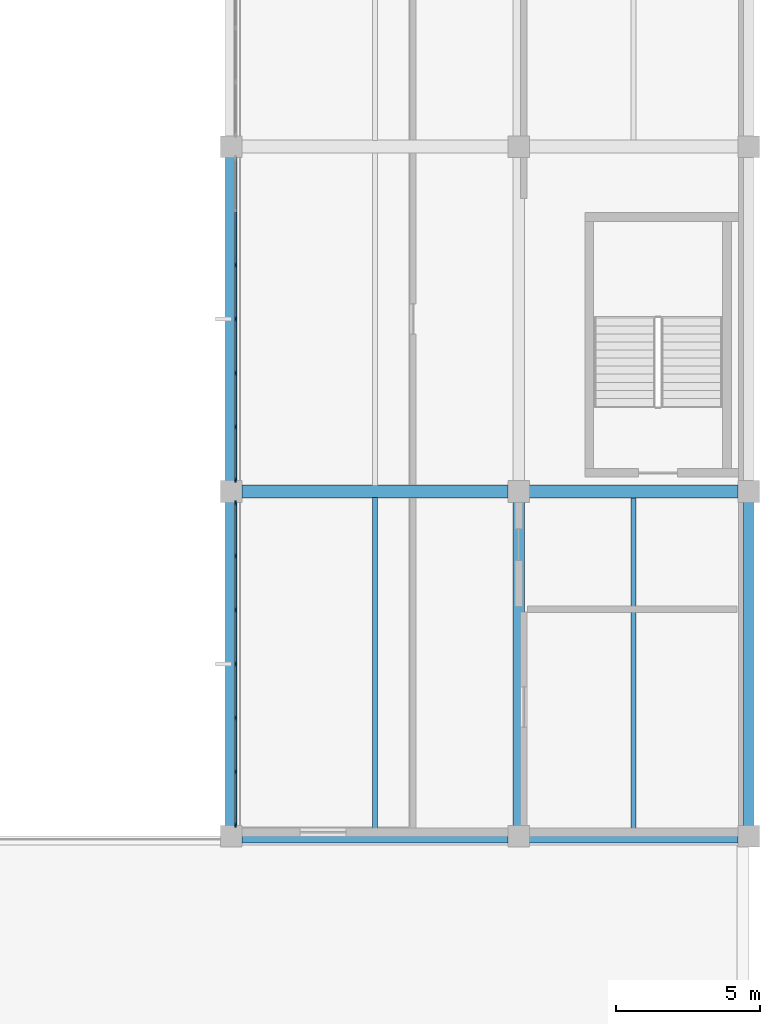
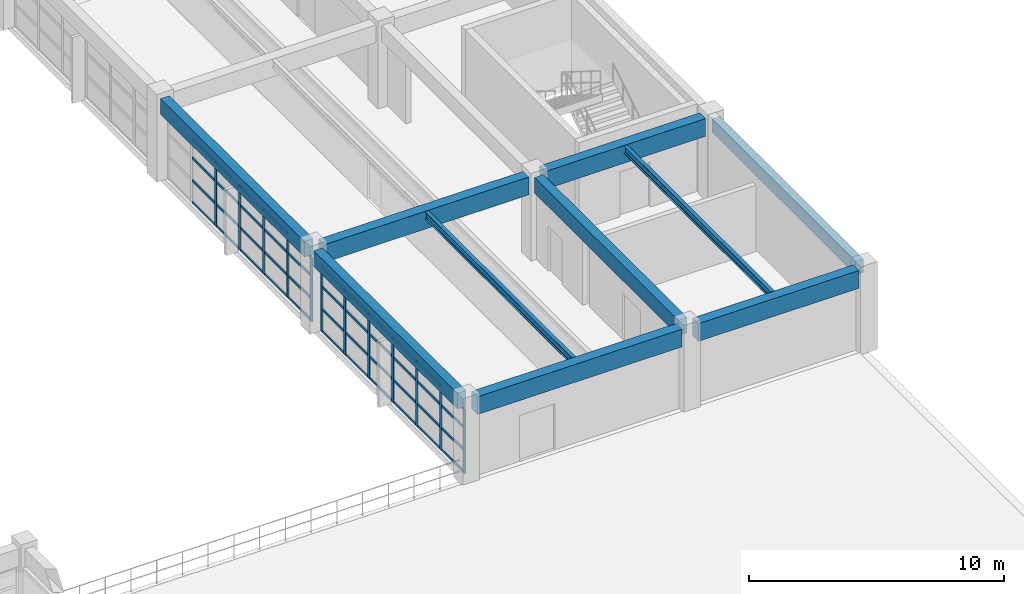
# One storey, part 36 of 83: 56 members, 10 beams, 2 elements without a shape of their own.
"""IFC4 building model written with IfcOpenShell, lengths in metres."""

from ifc_helpers import new_model, si_unit, direction, frame, origin, origin_2d, place, context, subcontext, project, spatial, rectangle, i_section, extrude, material, layer, layer_set, material_profile, profile_set, type_object, element, aggregate, save


model = new_model("IFC4")

# Units and contexts
model_context = context("Model", 3, precision=1e-05, world=origin(), true_north=direction((0.0, 1.0)))
body_context = subcontext(model_context, "Body", "Model", "MODEL_VIEW")
ifc_project = project(units=[si_unit("LENGTHUNIT", "METRE"), si_unit("AREAUNIT", "SQUARE_METRE"), si_unit("VOLUMEUNIT", "CUBIC_METRE"), si_unit("PLANEANGLEUNIT", "RADIAN"), si_unit("MASSUNIT", "GRAM", prefix="KILO")], contexts=[model_context])

# Site, building, storey
site_placement = place(None, origin())
site = spatial("IfcSite", under=ifc_project, at=site_placement, CompositionType="ELEMENT")
building_placement = place(site_placement, origin())
building = spatial("IfcBuilding", under=site, at=building_placement, Name="Kivolera Central Railway Station", CompositionType="ELEMENT")
storey_placement = place(building_placement, frame((0.0, 0.0, 14.39990234375)))
storey = spatial("IfcBuildingStorey", under=building, at=storey_placement, Name="L03", CompositionType="ELEMENT", Elevation=14.39990234375)

# Beams
ifc_material_1 = material(Name="Steel S355", Category="steel")
ifc_material_profile_1 = material_profile(ifc_material_1, i_section(OverallWidth=0.169921875, OverallDepth=0.360107421875, WebThickness=0.008056640625, FlangeThickness=0.0126953125, FilletRadius=0.01806640625, at=origin_2d()), Name="IPE 360")
ifc_profile_set_1 = profile_set([ifc_material_profile_1], Name="Steel S355")
beam_type_1 = type_object("IfcBeamType", Name="BM-JST-IPE360", PredefinedType="JOIST", material=ifc_profile_set_1)
for number, where, z_axis, x_axis, name in (
    (1, (183.0, 78.217041015625, 3.748046875), (0.0, 1.0, 0.0), (-1.0, 0.0, 0.0), "L03 Floor Joist 18-19/G-H"),
    (2, (192.0, 78.217041015625, 3.748046875), (0.0, 1.0, 0.0), (-1.0, 0.0, 0.0), "L03 Floor Joist 19-20/G-H"),
):
    element("IfcBeam", number, at=place(storey_placement, frame(where, z_axis=z_axis, x_axis=x_axis)), inside=storey, type_object=beam_type_1, Name=name, PredefinedType="JOIST", context=body_context, shape_type="SweptSolid", body=[
        extrude(i_section(OverallWidth=0.169921875, OverallDepth=0.360107421875, WebThickness=0.008056640625, FlangeThickness=0.0126953125, FilletRadius=0.01806640625, at=origin_2d()), origin(), (0.0, 0.0, 1.0), 11.56591796875),
    ])
ifc_material_2 = material(Name="Concrete C40/50", Category="concrete")
ifc_material_profile_2 = material_profile(ifc_material_2, rectangle(XDim=0.39990234375, YDim=0.75, at=origin_2d()), Name="RC 400x750")
ifc_profile_set_2 = profile_set([ifc_material_profile_2], Name="Concrete C40/50")
beam_type_2 = type_object("IfcBeamType", Name="BM-RC-400x750", PredefinedType="BEAM", material=ifc_profile_set_2)
for number, where, z_axis, x_axis, name in (
    (3, (178.0, 78.366943359375, 3.565185546875), (0.0, 1.0, 0.0), (-1.0, 0.0, 0.0), "L03 Wing Y-Beam 18:G-H"),
    (4, (178.0, 90.366943359375, 3.565185546875), (0.0, 1.0, 0.0), (-1.0, 0.0, 0.0), "L03 Wing Y-Beam 18:H-J"),
    (5, (188.0, 78.366943359375, 3.565185546875), (0.0, 1.0, 0.0), (-1.0, 0.0, 0.0), "L03 Wing Y-Beam 19:G-H"),
):
    element("IfcBeam", number, at=place(storey_placement, frame(where, z_axis=z_axis, x_axis=x_axis)), inside=storey, type_object=beam_type_2, Name=name, PredefinedType="BEAM", context=body_context, shape_type="SweptSolid", body=[
        extrude(rectangle(XDim=0.39990234375, YDim=0.75, at=origin_2d()), origin(), (0.0, 0.0, 1.0), 11.26611328125),
    ])
ifc_material_profile_3 = material_profile(ifc_material_2, rectangle(XDim=0.449951171875, YDim=0.85009765625, at=origin_2d()), Name="RC 450x850")
ifc_profile_set_3 = profile_set([ifc_material_profile_3], Name="Concrete C40/50")
beam_type_3 = type_object("IfcBeamType", Name="BM-RC-450x850", PredefinedType="BEAM", material=ifc_profile_set_3)
beam_1_placement = place(storey_placement, frame((178.366943359375, 78.0, 3.51513671875), z_axis=(1.0, 0.0, 0.0), x_axis=(0.0, 1.0, 0.0)))
element("IfcBeam", 6, at=beam_1_placement, inside=storey, type_object=beam_type_3, Name="L03 Wing X-Beam G:18-19", PredefinedType="BEAM", context=body_context, shape_type="SweptSolid", body=[
    extrude(rectangle(XDim=0.449951171875, YDim=0.85009765625, at=origin_2d()), origin(), (0.0, 0.0, 1.0), 9.26611328125),
])
beam_2_placement = place(storey_placement, frame((188.366943359375, 78.0, 3.51513671875), z_axis=(1.0, 0.0, 0.0), x_axis=(0.0, 1.0, 0.0)))
element("IfcBeam", 7, at=beam_2_placement, inside=storey, type_object=beam_type_3, Name="L03 Wing X-Beam G:19-20", PredefinedType="BEAM", context=body_context, shape_type="SweptSolid", body=[
    extrude(rectangle(XDim=0.449951171875, YDim=0.85009765625, at=origin_2d()), origin(), (0.0, 0.0, 1.0), 7.26611328125),
])
beam_3_placement = place(storey_placement, frame((178.366943359375, 90.0, 3.51513671875), z_axis=(1.0, 0.0, 0.0), x_axis=(0.0, 1.0, 0.0)))
element("IfcBeam", 8, at=beam_3_placement, inside=storey, type_object=beam_type_3, Name="L03 Wing X-Beam H:18-19", PredefinedType="BEAM", context=body_context, shape_type="SweptSolid", body=[
    extrude(rectangle(XDim=0.449951171875, YDim=0.85009765625, at=origin_2d()), origin(), (0.0, 0.0, 1.0), 9.26611328125),
])
beam_4_placement = place(storey_placement, frame((188.366943359375, 90.0, 3.51513671875), z_axis=(1.0, 0.0, 0.0), x_axis=(0.0, 1.0, 0.0)))
element("IfcBeam", 9, at=beam_4_placement, inside=storey, type_object=beam_type_3, Name="L03 Wing X-Beam H:19-20", PredefinedType="BEAM", context=body_context, shape_type="SweptSolid", body=[
    extrude(rectangle(XDim=0.449951171875, YDim=0.85009765625, at=origin_2d()), origin(), (0.0, 0.0, 1.0), 7.26611328125),
])
ifc_material_profile_4 = material_profile(ifc_material_2, rectangle(XDim=0.35009765625, YDim=0.64990234375, at=origin_2d()), Name="RC 350x650")
ifc_profile_set_4 = profile_set([ifc_material_profile_4], Name="Concrete C40/50")
beam_type_4 = type_object("IfcBeamType", Name="BM-SPN-RC650", PredefinedType="SPANDREL", material=ifc_profile_set_4)
beam_5_placement = place(storey_placement, frame((196.0, 78.366943359375, 3.614990234375), z_axis=(0.0, 1.0, 0.0), x_axis=(-1.0, 0.0, 0.0)))
element("IfcBeam", 10, at=beam_5_placement, inside=storey, type_object=beam_type_4, Name="L03 Wing Y-Beam 20:G-H", PredefinedType="SPANDREL", context=body_context, shape_type="SweptSolid", body=[
    extrude(rectangle(XDim=0.35009765625, YDim=0.64990234375, at=origin_2d()), origin(), (0.0, 0.0, 1.0), 11.26611328125),
])

# Curtain wall, members
ifc_material_3 = material(Name="Anodised aluminium", Category="aluminium")
ifc_layer = layer(ifc_material_3, 0.179931640625, Name="Anodised aluminium")
ifc_layer_set = layer_set([ifc_layer], Name="Anodised aluminium")
curtain_wall_type = type_object("IfcCurtainWallType", Name="CW-SYS-30", PredefinedType="NOTDEFINED", material=ifc_layer_set)
curtain_wall_1_placement = place(storey_placement, origin())
curtain_wall_1 = element("IfcCurtainWall", 11, at=curtain_wall_1_placement, inside=storey, type_object=curtain_wall_type, Name="L03 Curtain Wall CW-L03-CRTE-G", PredefinedType="NOTDEFINED")
ifc_material_profile_5 = material_profile(ifc_material_3, rectangle(XDim=0.06005859375, YDim=0.14990234375, at=origin_2d()), Name="ALU MULL 60x150")
ifc_profile_set_5 = profile_set([ifc_material_profile_5], Name="Anodised aluminium")
member_type_1 = type_object("IfcMemberType", Name="CWM-MUL-2", PredefinedType="MULLION", material=ifc_profile_set_5)
member_1_placement = place(storey_placement, frame((178.14501953125, 78.39990234375, -0.0048828125), z_axis=(0.0, 0.0, 1.0), x_axis=(-1.0, 0.0, 0.0)))
member_1 = element("IfcMember", 12, at=member_1_placement, type_object=member_type_1, Name="CW-30 mullion 1", PredefinedType="MULLION", context=body_context, shape_type="SweptSolid", body=[
    extrude(rectangle(XDim=0.06005859375, YDim=0.14990234375, at=origin_2d()), origin(), (0.0, 0.0, 1.0), 3.0830078125),
])
member_2_placement = place(storey_placement, frame((178.14501953125, 80.24658203125, -0.0048828125), z_axis=(0.0, 0.0, 1.0), x_axis=(-1.0, 0.0, 0.0)))
member_2 = element("IfcMember", 13, at=member_2_placement, type_object=member_type_1, Name="CW-30 mullion 2", PredefinedType="MULLION", context=body_context, shape_type="SweptSolid", body=[
    extrude(rectangle(XDim=0.06005859375, YDim=0.14990234375, at=origin_2d()), origin(), (0.0, 0.0, 1.0), 3.0830078125),
])
member_3_placement = place(storey_placement, frame((178.14501953125, 82.123291015625, -0.0048828125), z_axis=(0.0, 0.0, 1.0), x_axis=(-1.0, 0.0, 0.0)))
member_3 = element("IfcMember", 14, at=member_3_placement, type_object=member_type_1, Name="CW-30 mullion 3", PredefinedType="MULLION", context=body_context, shape_type="SweptSolid", body=[
    extrude(rectangle(XDim=0.06005859375, YDim=0.14990234375, at=origin_2d()), origin(), (0.0, 0.0, 1.0), 3.0830078125),
])
member_4_placement = place(storey_placement, frame((178.14501953125, 84.0, -0.0048828125), z_axis=(0.0, 0.0, 1.0), x_axis=(-1.0, 0.0, 0.0)))
member_4 = element("IfcMember", 15, at=member_4_placement, type_object=member_type_1, Name="CW-30 mullion 4", PredefinedType="MULLION", context=body_context, shape_type="SweptSolid", body=[
    extrude(rectangle(XDim=0.06005859375, YDim=0.14990234375, at=origin_2d()), origin(), (0.0, 0.0, 1.0), 3.0830078125),
])
member_5_placement = place(storey_placement, frame((178.14501953125, 85.876708984375, -0.0048828125), z_axis=(0.0, 0.0, 1.0), x_axis=(-1.0, 0.0, 0.0)))
member_5 = element("IfcMember", 16, at=member_5_placement, type_object=member_type_1, Name="CW-30 mullion 5", PredefinedType="MULLION", context=body_context, shape_type="SweptSolid", body=[
    extrude(rectangle(XDim=0.06005859375, YDim=0.14990234375, at=origin_2d()), origin(), (0.0, 0.0, 1.0), 3.0830078125),
])
member_6_placement = place(storey_placement, frame((178.14501953125, 87.75341796875, -0.0048828125), z_axis=(0.0, 0.0, 1.0), x_axis=(-1.0, 0.0, 0.0)))
member_6 = element("IfcMember", 17, at=member_6_placement, type_object=member_type_1, Name="CW-30 mullion 6", PredefinedType="MULLION", context=body_context, shape_type="SweptSolid", body=[
    extrude(rectangle(XDim=0.06005859375, YDim=0.14990234375, at=origin_2d()), origin(), (0.0, 0.0, 1.0), 3.0830078125),
])
member_7_placement = place(storey_placement, frame((178.14501953125, 89.60009765625, -0.0048828125), z_axis=(0.0, 0.0, 1.0), x_axis=(-1.0, 0.0, 0.0)))
member_7 = element("IfcMember", 18, at=member_7_placement, type_object=member_type_1, Name="CW-30 mullion 7", PredefinedType="MULLION", context=body_context, shape_type="SweptSolid", body=[
    extrude(rectangle(XDim=0.06005859375, YDim=0.14990234375, at=origin_2d()), origin(), (0.0, 0.0, 1.0), 3.0830078125),
])

curtain_wall_2_placement = place(storey_placement, origin())
curtain_wall_2 = element("IfcCurtainWall", 19, at=curtain_wall_2_placement, inside=storey, type_object=curtain_wall_type, Name="L03 Curtain Wall CW-L03-CRTE-H", PredefinedType="NOTDEFINED")
member_8_placement = place(storey_placement, frame((178.14501953125, 90.39990234375, -0.0048828125), z_axis=(0.0, 0.0, 1.0), x_axis=(-1.0, 0.0, 0.0)))
member_8 = element("IfcMember", 20, at=member_8_placement, type_object=member_type_1, Name="CW-30 mullion 1", PredefinedType="MULLION", context=body_context, shape_type="SweptSolid", body=[
    extrude(rectangle(XDim=0.06005859375, YDim=0.14990234375, at=origin_2d()), origin(), (0.0, 0.0, 1.0), 3.0830078125),
])
member_9_placement = place(storey_placement, frame((178.14501953125, 92.24658203125, -0.0048828125), z_axis=(0.0, 0.0, 1.0), x_axis=(-1.0, 0.0, 0.0)))
member_9 = element("IfcMember", 21, at=member_9_placement, type_object=member_type_1, Name="CW-30 mullion 2", PredefinedType="MULLION", context=body_context, shape_type="SweptSolid", body=[
    extrude(rectangle(XDim=0.06005859375, YDim=0.14990234375, at=origin_2d()), origin(), (0.0, 0.0, 1.0), 3.0830078125),
])
member_10_placement = place(storey_placement, frame((178.14501953125, 94.123291015625, -0.0048828125), z_axis=(0.0, 0.0, 1.0), x_axis=(-1.0, 0.0, 0.0)))
member_10 = element("IfcMember", 22, at=member_10_placement, type_object=member_type_1, Name="CW-30 mullion 3", PredefinedType="MULLION", context=body_context, shape_type="SweptSolid", body=[
    extrude(rectangle(XDim=0.06005859375, YDim=0.14990234375, at=origin_2d()), origin(), (0.0, 0.0, 1.0), 3.0830078125),
])
member_11_placement = place(storey_placement, frame((178.14501953125, 96.0, -0.0048828125), z_axis=(0.0, 0.0, 1.0), x_axis=(-1.0, 0.0, 0.0)))
member_11 = element("IfcMember", 23, at=member_11_placement, type_object=member_type_1, Name="CW-30 mullion 4", PredefinedType="MULLION", context=body_context, shape_type="SweptSolid", body=[
    extrude(rectangle(XDim=0.06005859375, YDim=0.14990234375, at=origin_2d()), origin(), (0.0, 0.0, 1.0), 3.0830078125),
])
member_12_placement = place(storey_placement, frame((178.14501953125, 97.876708984375, -0.0048828125), z_axis=(0.0, 0.0, 1.0), x_axis=(-1.0, 0.0, 0.0)))
member_12 = element("IfcMember", 24, at=member_12_placement, type_object=member_type_1, Name="CW-30 mullion 5", PredefinedType="MULLION", context=body_context, shape_type="SweptSolid", body=[
    extrude(rectangle(XDim=0.06005859375, YDim=0.14990234375, at=origin_2d()), origin(), (0.0, 0.0, 1.0), 3.0830078125),
])

# Member
ifc_material_profile_6 = material_profile(ifc_material_3, rectangle(XDim=0.06005859375, YDim=0.1201171875, at=origin_2d()), Name="ALU TRAN 60x120")
ifc_profile_set_6 = profile_set([ifc_material_profile_6], Name="Anodised aluminium")
member_type_2 = type_object("IfcMemberType", Name="CWM-TRN-2", PredefinedType="USERDEFINED", material=ifc_profile_set_6)
member_13_placement = place(storey_placement, frame((178.14501953125, 78.429931640625, 0.030029296875), z_axis=(0.0, 1.0, 0.0), x_axis=(-1.0, 0.0, 0.0)))
member_13 = element("IfcMember", 25, at=member_13_placement, type_object=member_type_2, Name="CW-30 transom 1.1", ObjectType="TRANSOM", PredefinedType="USERDEFINED", context=body_context, shape_type="SweptSolid", body=[
    extrude(rectangle(XDim=0.06005859375, YDim=0.1201171875, at=origin_2d()), origin(), (0.0, 0.0, 1.0), 1.78662109375),
])

member_14_placement = place(storey_placement, frame((178.14501953125, 78.429931640625, 1.077392578125), z_axis=(0.0, 1.0, 0.0), x_axis=(-1.0, 0.0, 0.0)))
member_14 = element("IfcMember", 26, at=member_14_placement, type_object=member_type_2, Name="CW-30 transom 1.2", ObjectType="TRANSOM", PredefinedType="USERDEFINED", context=body_context, shape_type="SweptSolid", body=[
    extrude(rectangle(XDim=0.06005859375, YDim=0.1201171875, at=origin_2d()), origin(), (0.0, 0.0, 1.0), 1.78662109375),
])

member_15_placement = place(storey_placement, frame((178.14501953125, 78.429931640625, 2.15478515625), z_axis=(0.0, 1.0, 0.0), x_axis=(-1.0, 0.0, 0.0)))
member_15 = element("IfcMember", 27, at=member_15_placement, type_object=member_type_2, Name="CW-30 transom 1.3", ObjectType="TRANSOM", PredefinedType="USERDEFINED", context=body_context, shape_type="SweptSolid", body=[
    extrude(rectangle(XDim=0.06005859375, YDim=0.1201171875, at=origin_2d()), origin(), (0.0, 0.0, 1.0), 1.78662109375),
])

member_16_placement = place(storey_placement, frame((178.14501953125, 78.429931640625, 3.048095703125), z_axis=(0.0, 1.0, 0.0), x_axis=(-1.0, 0.0, 0.0)))
member_16 = element("IfcMember", 28, at=member_16_placement, type_object=member_type_2, Name="CW-30 transom 1.4", ObjectType="TRANSOM", PredefinedType="USERDEFINED", context=body_context, shape_type="SweptSolid", body=[
    extrude(rectangle(XDim=0.06005859375, YDim=0.1201171875, at=origin_2d()), origin(), (0.0, 0.0, 1.0), 1.78662109375),
])

member_17_placement = place(storey_placement, frame((178.14501953125, 80.276611328125, 0.030029296875), z_axis=(0.0, 1.0, 0.0), x_axis=(-1.0, 0.0, 0.0)))
member_17 = element("IfcMember", 29, at=member_17_placement, type_object=member_type_2, Name="CW-30 transom 2.1", ObjectType="TRANSOM", PredefinedType="USERDEFINED", context=body_context, shape_type="SweptSolid", body=[
    extrude(rectangle(XDim=0.06005859375, YDim=0.1201171875, at=origin_2d()), origin(), (0.0, 0.0, 1.0), 1.816650390625),
])

member_18_placement = place(storey_placement, frame((178.14501953125, 80.276611328125, 1.077392578125), z_axis=(0.0, 1.0, 0.0), x_axis=(-1.0, 0.0, 0.0)))
member_18 = element("IfcMember", 30, at=member_18_placement, type_object=member_type_2, Name="CW-30 transom 2.2", ObjectType="TRANSOM", PredefinedType="USERDEFINED", context=body_context, shape_type="SweptSolid", body=[
    extrude(rectangle(XDim=0.06005859375, YDim=0.1201171875, at=origin_2d()), origin(), (0.0, 0.0, 1.0), 1.816650390625),
])

member_19_placement = place(storey_placement, frame((178.14501953125, 80.276611328125, 2.15478515625), z_axis=(0.0, 1.0, 0.0), x_axis=(-1.0, 0.0, 0.0)))
member_19 = element("IfcMember", 31, at=member_19_placement, type_object=member_type_2, Name="CW-30 transom 2.3", ObjectType="TRANSOM", PredefinedType="USERDEFINED", context=body_context, shape_type="SweptSolid", body=[
    extrude(rectangle(XDim=0.06005859375, YDim=0.1201171875, at=origin_2d()), origin(), (0.0, 0.0, 1.0), 1.816650390625),
])

member_20_placement = place(storey_placement, frame((178.14501953125, 80.276611328125, 3.048095703125), z_axis=(0.0, 1.0, 0.0), x_axis=(-1.0, 0.0, 0.0)))
member_20 = element("IfcMember", 32, at=member_20_placement, type_object=member_type_2, Name="CW-30 transom 2.4", ObjectType="TRANSOM", PredefinedType="USERDEFINED", context=body_context, shape_type="SweptSolid", body=[
    extrude(rectangle(XDim=0.06005859375, YDim=0.1201171875, at=origin_2d()), origin(), (0.0, 0.0, 1.0), 1.816650390625),
])

member_21_placement = place(storey_placement, frame((178.14501953125, 82.1533203125, 0.030029296875), z_axis=(0.0, 1.0, 0.0), x_axis=(-1.0, 0.0, 0.0)))
member_21 = element("IfcMember", 33, at=member_21_placement, type_object=member_type_2, Name="CW-30 transom 3.1", ObjectType="TRANSOM", PredefinedType="USERDEFINED", context=body_context, shape_type="SweptSolid", body=[
    extrude(rectangle(XDim=0.06005859375, YDim=0.1201171875, at=origin_2d()), origin(), (0.0, 0.0, 1.0), 1.816650390625),
])

member_22_placement = place(storey_placement, frame((178.14501953125, 82.1533203125, 1.077392578125), z_axis=(0.0, 1.0, 0.0), x_axis=(-1.0, 0.0, 0.0)))
member_22 = element("IfcMember", 34, at=member_22_placement, type_object=member_type_2, Name="CW-30 transom 3.2", ObjectType="TRANSOM", PredefinedType="USERDEFINED", context=body_context, shape_type="SweptSolid", body=[
    extrude(rectangle(XDim=0.06005859375, YDim=0.1201171875, at=origin_2d()), origin(), (0.0, 0.0, 1.0), 1.816650390625),
])

member_23_placement = place(storey_placement, frame((178.14501953125, 82.1533203125, 2.15478515625), z_axis=(0.0, 1.0, 0.0), x_axis=(-1.0, 0.0, 0.0)))
member_23 = element("IfcMember", 35, at=member_23_placement, type_object=member_type_2, Name="CW-30 transom 3.3", ObjectType="TRANSOM", PredefinedType="USERDEFINED", context=body_context, shape_type="SweptSolid", body=[
    extrude(rectangle(XDim=0.06005859375, YDim=0.1201171875, at=origin_2d()), origin(), (0.0, 0.0, 1.0), 1.816650390625),
])

member_24_placement = place(storey_placement, frame((178.14501953125, 82.1533203125, 3.048095703125), z_axis=(0.0, 1.0, 0.0), x_axis=(-1.0, 0.0, 0.0)))
member_24 = element("IfcMember", 36, at=member_24_placement, type_object=member_type_2, Name="CW-30 transom 3.4", ObjectType="TRANSOM", PredefinedType="USERDEFINED", context=body_context, shape_type="SweptSolid", body=[
    extrude(rectangle(XDim=0.06005859375, YDim=0.1201171875, at=origin_2d()), origin(), (0.0, 0.0, 1.0), 1.816650390625),
])

member_25_placement = place(storey_placement, frame((178.14501953125, 84.030029296875, 0.030029296875), z_axis=(0.0, 1.0, 0.0), x_axis=(-1.0, 0.0, 0.0)))
member_25 = element("IfcMember", 37, at=member_25_placement, type_object=member_type_2, Name="CW-30 transom 4.1", ObjectType="TRANSOM", PredefinedType="USERDEFINED", context=body_context, shape_type="SweptSolid", body=[
    extrude(rectangle(XDim=0.06005859375, YDim=0.1201171875, at=origin_2d()), origin(), (0.0, 0.0, 1.0), 1.816650390625),
])

member_26_placement = place(storey_placement, frame((178.14501953125, 84.030029296875, 1.077392578125), z_axis=(0.0, 1.0, 0.0), x_axis=(-1.0, 0.0, 0.0)))
member_26 = element("IfcMember", 38, at=member_26_placement, type_object=member_type_2, Name="CW-30 transom 4.2", ObjectType="TRANSOM", PredefinedType="USERDEFINED", context=body_context, shape_type="SweptSolid", body=[
    extrude(rectangle(XDim=0.06005859375, YDim=0.1201171875, at=origin_2d()), origin(), (0.0, 0.0, 1.0), 1.816650390625),
])

member_27_placement = place(storey_placement, frame((178.14501953125, 84.030029296875, 2.15478515625), z_axis=(0.0, 1.0, 0.0), x_axis=(-1.0, 0.0, 0.0)))
member_27 = element("IfcMember", 39, at=member_27_placement, type_object=member_type_2, Name="CW-30 transom 4.3", ObjectType="TRANSOM", PredefinedType="USERDEFINED", context=body_context, shape_type="SweptSolid", body=[
    extrude(rectangle(XDim=0.06005859375, YDim=0.1201171875, at=origin_2d()), origin(), (0.0, 0.0, 1.0), 1.816650390625),
])

member_28_placement = place(storey_placement, frame((178.14501953125, 84.030029296875, 3.048095703125), z_axis=(0.0, 1.0, 0.0), x_axis=(-1.0, 0.0, 0.0)))
member_28 = element("IfcMember", 40, at=member_28_placement, type_object=member_type_2, Name="CW-30 transom 4.4", ObjectType="TRANSOM", PredefinedType="USERDEFINED", context=body_context, shape_type="SweptSolid", body=[
    extrude(rectangle(XDim=0.06005859375, YDim=0.1201171875, at=origin_2d()), origin(), (0.0, 0.0, 1.0), 1.816650390625),
])

member_29_placement = place(storey_placement, frame((178.14501953125, 85.90673828125, 0.030029296875), z_axis=(0.0, 1.0, 0.0), x_axis=(-1.0, 0.0, 0.0)))
member_29 = element("IfcMember", 41, at=member_29_placement, type_object=member_type_2, Name="CW-30 transom 5.1", ObjectType="TRANSOM", PredefinedType="USERDEFINED", context=body_context, shape_type="SweptSolid", body=[
    extrude(rectangle(XDim=0.06005859375, YDim=0.1201171875, at=origin_2d()), origin(), (0.0, 0.0, 1.0), 1.816650390625),
])

member_30_placement = place(storey_placement, frame((178.14501953125, 85.90673828125, 1.077392578125), z_axis=(0.0, 1.0, 0.0), x_axis=(-1.0, 0.0, 0.0)))
member_30 = element("IfcMember", 42, at=member_30_placement, type_object=member_type_2, Name="CW-30 transom 5.2", ObjectType="TRANSOM", PredefinedType="USERDEFINED", context=body_context, shape_type="SweptSolid", body=[
    extrude(rectangle(XDim=0.06005859375, YDim=0.1201171875, at=origin_2d()), origin(), (0.0, 0.0, 1.0), 1.816650390625),
])

member_31_placement = place(storey_placement, frame((178.14501953125, 85.90673828125, 2.15478515625), z_axis=(0.0, 1.0, 0.0), x_axis=(-1.0, 0.0, 0.0)))
member_31 = element("IfcMember", 43, at=member_31_placement, type_object=member_type_2, Name="CW-30 transom 5.3", ObjectType="TRANSOM", PredefinedType="USERDEFINED", context=body_context, shape_type="SweptSolid", body=[
    extrude(rectangle(XDim=0.06005859375, YDim=0.1201171875, at=origin_2d()), origin(), (0.0, 0.0, 1.0), 1.816650390625),
])

member_32_placement = place(storey_placement, frame((178.14501953125, 85.90673828125, 3.048095703125), z_axis=(0.0, 1.0, 0.0), x_axis=(-1.0, 0.0, 0.0)))
member_32 = element("IfcMember", 44, at=member_32_placement, type_object=member_type_2, Name="CW-30 transom 5.4", ObjectType="TRANSOM", PredefinedType="USERDEFINED", context=body_context, shape_type="SweptSolid", body=[
    extrude(rectangle(XDim=0.06005859375, YDim=0.1201171875, at=origin_2d()), origin(), (0.0, 0.0, 1.0), 1.816650390625),
])

member_33_placement = place(storey_placement, frame((178.14501953125, 87.783447265625, 0.030029296875), z_axis=(0.0, 1.0, 0.0), x_axis=(-1.0, 0.0, 0.0)))
member_33 = element("IfcMember", 45, at=member_33_placement, type_object=member_type_2, Name="CW-30 transom 6.1", ObjectType="TRANSOM", PredefinedType="USERDEFINED", context=body_context, shape_type="SweptSolid", body=[
    extrude(rectangle(XDim=0.06005859375, YDim=0.1201171875, at=origin_2d()), origin(), (0.0, 0.0, 1.0), 1.78662109375),
])

member_34_placement = place(storey_placement, frame((178.14501953125, 87.783447265625, 1.077392578125), z_axis=(0.0, 1.0, 0.0), x_axis=(-1.0, 0.0, 0.0)))
member_34 = element("IfcMember", 46, at=member_34_placement, type_object=member_type_2, Name="CW-30 transom 6.2", ObjectType="TRANSOM", PredefinedType="USERDEFINED", context=body_context, shape_type="SweptSolid", body=[
    extrude(rectangle(XDim=0.06005859375, YDim=0.1201171875, at=origin_2d()), origin(), (0.0, 0.0, 1.0), 1.78662109375),
])

member_35_placement = place(storey_placement, frame((178.14501953125, 87.783447265625, 2.15478515625), z_axis=(0.0, 1.0, 0.0), x_axis=(-1.0, 0.0, 0.0)))
member_35 = element("IfcMember", 47, at=member_35_placement, type_object=member_type_2, Name="CW-30 transom 6.3", ObjectType="TRANSOM", PredefinedType="USERDEFINED", context=body_context, shape_type="SweptSolid", body=[
    extrude(rectangle(XDim=0.06005859375, YDim=0.1201171875, at=origin_2d()), origin(), (0.0, 0.0, 1.0), 1.78662109375),
])

member_36_placement = place(storey_placement, frame((178.14501953125, 87.783447265625, 3.048095703125), z_axis=(0.0, 1.0, 0.0), x_axis=(-1.0, 0.0, 0.0)))
member_36 = element("IfcMember", 48, at=member_36_placement, type_object=member_type_2, Name="CW-30 transom 6.4", ObjectType="TRANSOM", PredefinedType="USERDEFINED", context=body_context, shape_type="SweptSolid", body=[
    extrude(rectangle(XDim=0.06005859375, YDim=0.1201171875, at=origin_2d()), origin(), (0.0, 0.0, 1.0), 1.78662109375),
])

aggregate(curtain_wall_1, [member_1, member_2, member_3, member_4, member_5, member_6, member_7, member_13, member_14, member_15, member_16, member_17, member_18, member_19, member_20, member_21, member_22, member_23, member_24, member_25, member_26, member_27, member_28, member_29, member_30, member_31, member_32, member_33, member_34, member_35, member_36])

member_37_placement = place(storey_placement, frame((178.14501953125, 90.429931640625, 0.030029296875), z_axis=(0.0, 1.0, 0.0), x_axis=(-1.0, 0.0, 0.0)))
member_37 = element("IfcMember", 49, at=member_37_placement, type_object=member_type_2, Name="CW-30 transom 1.1", ObjectType="TRANSOM", PredefinedType="USERDEFINED", context=body_context, shape_type="SweptSolid", body=[
    extrude(rectangle(XDim=0.06005859375, YDim=0.1201171875, at=origin_2d()), origin(), (0.0, 0.0, 1.0), 1.78662109375),
])

member_38_placement = place(storey_placement, frame((178.14501953125, 90.429931640625, 1.077392578125), z_axis=(0.0, 1.0, 0.0), x_axis=(-1.0, 0.0, 0.0)))
member_38 = element("IfcMember", 50, at=member_38_placement, type_object=member_type_2, Name="CW-30 transom 1.2", ObjectType="TRANSOM", PredefinedType="USERDEFINED", context=body_context, shape_type="SweptSolid", body=[
    extrude(rectangle(XDim=0.06005859375, YDim=0.1201171875, at=origin_2d()), origin(), (0.0, 0.0, 1.0), 1.78662109375),
])

member_39_placement = place(storey_placement, frame((178.14501953125, 90.429931640625, 2.15478515625), z_axis=(0.0, 1.0, 0.0), x_axis=(-1.0, 0.0, 0.0)))
member_39 = element("IfcMember", 51, at=member_39_placement, type_object=member_type_2, Name="CW-30 transom 1.3", ObjectType="TRANSOM", PredefinedType="USERDEFINED", context=body_context, shape_type="SweptSolid", body=[
    extrude(rectangle(XDim=0.06005859375, YDim=0.1201171875, at=origin_2d()), origin(), (0.0, 0.0, 1.0), 1.78662109375),
])

member_40_placement = place(storey_placement, frame((178.14501953125, 90.429931640625, 3.048095703125), z_axis=(0.0, 1.0, 0.0), x_axis=(-1.0, 0.0, 0.0)))
member_40 = element("IfcMember", 52, at=member_40_placement, type_object=member_type_2, Name="CW-30 transom 1.4", ObjectType="TRANSOM", PredefinedType="USERDEFINED", context=body_context, shape_type="SweptSolid", body=[
    extrude(rectangle(XDim=0.06005859375, YDim=0.1201171875, at=origin_2d()), origin(), (0.0, 0.0, 1.0), 1.78662109375),
])

member_41_placement = place(storey_placement, frame((178.14501953125, 92.276611328125, 0.030029296875), z_axis=(0.0, 1.0, 0.0), x_axis=(-1.0, 0.0, 0.0)))
member_41 = element("IfcMember", 53, at=member_41_placement, type_object=member_type_2, Name="CW-30 transom 2.1", ObjectType="TRANSOM", PredefinedType="USERDEFINED", context=body_context, shape_type="SweptSolid", body=[
    extrude(rectangle(XDim=0.06005859375, YDim=0.1201171875, at=origin_2d()), origin(), (0.0, 0.0, 1.0), 1.816650390625),
])

member_42_placement = place(storey_placement, frame((178.14501953125, 92.276611328125, 1.077392578125), z_axis=(0.0, 1.0, 0.0), x_axis=(-1.0, 0.0, 0.0)))
member_42 = element("IfcMember", 54, at=member_42_placement, type_object=member_type_2, Name="CW-30 transom 2.2", ObjectType="TRANSOM", PredefinedType="USERDEFINED", context=body_context, shape_type="SweptSolid", body=[
    extrude(rectangle(XDim=0.06005859375, YDim=0.1201171875, at=origin_2d()), origin(), (0.0, 0.0, 1.0), 1.816650390625),
])

member_43_placement = place(storey_placement, frame((178.14501953125, 92.276611328125, 2.15478515625), z_axis=(0.0, 1.0, 0.0), x_axis=(-1.0, 0.0, 0.0)))
member_43 = element("IfcMember", 55, at=member_43_placement, type_object=member_type_2, Name="CW-30 transom 2.3", ObjectType="TRANSOM", PredefinedType="USERDEFINED", context=body_context, shape_type="SweptSolid", body=[
    extrude(rectangle(XDim=0.06005859375, YDim=0.1201171875, at=origin_2d()), origin(), (0.0, 0.0, 1.0), 1.816650390625),
])

member_44_placement = place(storey_placement, frame((178.14501953125, 92.276611328125, 3.048095703125), z_axis=(0.0, 1.0, 0.0), x_axis=(-1.0, 0.0, 0.0)))
member_44 = element("IfcMember", 56, at=member_44_placement, type_object=member_type_2, Name="CW-30 transom 2.4", ObjectType="TRANSOM", PredefinedType="USERDEFINED", context=body_context, shape_type="SweptSolid", body=[
    extrude(rectangle(XDim=0.06005859375, YDim=0.1201171875, at=origin_2d()), origin(), (0.0, 0.0, 1.0), 1.816650390625),
])

member_45_placement = place(storey_placement, frame((178.14501953125, 94.1533203125, 0.030029296875), z_axis=(0.0, 1.0, 0.0), x_axis=(-1.0, 0.0, 0.0)))
member_45 = element("IfcMember", 57, at=member_45_placement, type_object=member_type_2, Name="CW-30 transom 3.1", ObjectType="TRANSOM", PredefinedType="USERDEFINED", context=body_context, shape_type="SweptSolid", body=[
    extrude(rectangle(XDim=0.06005859375, YDim=0.1201171875, at=origin_2d()), origin(), (0.0, 0.0, 1.0), 1.816650390625),
])

member_46_placement = place(storey_placement, frame((178.14501953125, 94.1533203125, 1.077392578125), z_axis=(0.0, 1.0, 0.0), x_axis=(-1.0, 0.0, 0.0)))
member_46 = element("IfcMember", 58, at=member_46_placement, type_object=member_type_2, Name="CW-30 transom 3.2", ObjectType="TRANSOM", PredefinedType="USERDEFINED", context=body_context, shape_type="SweptSolid", body=[
    extrude(rectangle(XDim=0.06005859375, YDim=0.1201171875, at=origin_2d()), origin(), (0.0, 0.0, 1.0), 1.816650390625),
])

member_47_placement = place(storey_placement, frame((178.14501953125, 94.1533203125, 2.15478515625), z_axis=(0.0, 1.0, 0.0), x_axis=(-1.0, 0.0, 0.0)))
member_47 = element("IfcMember", 59, at=member_47_placement, type_object=member_type_2, Name="CW-30 transom 3.3", ObjectType="TRANSOM", PredefinedType="USERDEFINED", context=body_context, shape_type="SweptSolid", body=[
    extrude(rectangle(XDim=0.06005859375, YDim=0.1201171875, at=origin_2d()), origin(), (0.0, 0.0, 1.0), 1.816650390625),
])

member_48_placement = place(storey_placement, frame((178.14501953125, 94.1533203125, 3.048095703125), z_axis=(0.0, 1.0, 0.0), x_axis=(-1.0, 0.0, 0.0)))
member_48 = element("IfcMember", 60, at=member_48_placement, type_object=member_type_2, Name="CW-30 transom 3.4", ObjectType="TRANSOM", PredefinedType="USERDEFINED", context=body_context, shape_type="SweptSolid", body=[
    extrude(rectangle(XDim=0.06005859375, YDim=0.1201171875, at=origin_2d()), origin(), (0.0, 0.0, 1.0), 1.816650390625),
])

member_49_placement = place(storey_placement, frame((178.14501953125, 96.030029296875, 0.030029296875), z_axis=(0.0, 1.0, 0.0), x_axis=(-1.0, 0.0, 0.0)))
member_49 = element("IfcMember", 61, at=member_49_placement, type_object=member_type_2, Name="CW-30 transom 4.1", ObjectType="TRANSOM", PredefinedType="USERDEFINED", context=body_context, shape_type="SweptSolid", body=[
    extrude(rectangle(XDim=0.06005859375, YDim=0.1201171875, at=origin_2d()), origin(), (0.0, 0.0, 1.0), 1.816650390625),
])

member_50_placement = place(storey_placement, frame((178.14501953125, 96.030029296875, 1.077392578125), z_axis=(0.0, 1.0, 0.0), x_axis=(-1.0, 0.0, 0.0)))
member_50 = element("IfcMember", 62, at=member_50_placement, type_object=member_type_2, Name="CW-30 transom 4.2", ObjectType="TRANSOM", PredefinedType="USERDEFINED", context=body_context, shape_type="SweptSolid", body=[
    extrude(rectangle(XDim=0.06005859375, YDim=0.1201171875, at=origin_2d()), origin(), (0.0, 0.0, 1.0), 1.816650390625),
])

member_51_placement = place(storey_placement, frame((178.14501953125, 96.030029296875, 2.15478515625), z_axis=(0.0, 1.0, 0.0), x_axis=(-1.0, 0.0, 0.0)))
member_51 = element("IfcMember", 63, at=member_51_placement, type_object=member_type_2, Name="CW-30 transom 4.3", ObjectType="TRANSOM", PredefinedType="USERDEFINED", context=body_context, shape_type="SweptSolid", body=[
    extrude(rectangle(XDim=0.06005859375, YDim=0.1201171875, at=origin_2d()), origin(), (0.0, 0.0, 1.0), 1.816650390625),
])

member_52_placement = place(storey_placement, frame((178.14501953125, 96.030029296875, 3.048095703125), z_axis=(0.0, 1.0, 0.0), x_axis=(-1.0, 0.0, 0.0)))
member_52 = element("IfcMember", 64, at=member_52_placement, type_object=member_type_2, Name="CW-30 transom 4.4", ObjectType="TRANSOM", PredefinedType="USERDEFINED", context=body_context, shape_type="SweptSolid", body=[
    extrude(rectangle(XDim=0.06005859375, YDim=0.1201171875, at=origin_2d()), origin(), (0.0, 0.0, 1.0), 1.816650390625),
])

member_53_placement = place(storey_placement, frame((178.14501953125, 97.90673828125, 0.030029296875), z_axis=(0.0, 1.0, 0.0), x_axis=(-1.0, 0.0, 0.0)))
member_53 = element("IfcMember", 65, at=member_53_placement, type_object=member_type_2, Name="CW-30 transom 5.1", ObjectType="TRANSOM", PredefinedType="USERDEFINED", context=body_context, shape_type="SweptSolid", body=[
    extrude(rectangle(XDim=0.06005859375, YDim=0.1201171875, at=origin_2d()), origin(), (0.0, 0.0, 1.0), 1.816650390625),
])

member_54_placement = place(storey_placement, frame((178.14501953125, 97.90673828125, 1.077392578125), z_axis=(0.0, 1.0, 0.0), x_axis=(-1.0, 0.0, 0.0)))
member_54 = element("IfcMember", 66, at=member_54_placement, type_object=member_type_2, Name="CW-30 transom 5.2", ObjectType="TRANSOM", PredefinedType="USERDEFINED", context=body_context, shape_type="SweptSolid", body=[
    extrude(rectangle(XDim=0.06005859375, YDim=0.1201171875, at=origin_2d()), origin(), (0.0, 0.0, 1.0), 1.816650390625),
])

member_55_placement = place(storey_placement, frame((178.14501953125, 97.90673828125, 2.15478515625), z_axis=(0.0, 1.0, 0.0), x_axis=(-1.0, 0.0, 0.0)))
member_55 = element("IfcMember", 67, at=member_55_placement, type_object=member_type_2, Name="CW-30 transom 5.3", ObjectType="TRANSOM", PredefinedType="USERDEFINED", context=body_context, shape_type="SweptSolid", body=[
    extrude(rectangle(XDim=0.06005859375, YDim=0.1201171875, at=origin_2d()), origin(), (0.0, 0.0, 1.0), 1.816650390625),
])

member_56_placement = place(storey_placement, frame((178.14501953125, 97.90673828125, 3.048095703125), z_axis=(0.0, 1.0, 0.0), x_axis=(-1.0, 0.0, 0.0)))
member_56 = element("IfcMember", 68, at=member_56_placement, type_object=member_type_2, Name="CW-30 transom 5.4", ObjectType="TRANSOM", PredefinedType="USERDEFINED", context=body_context, shape_type="SweptSolid", body=[
    extrude(rectangle(XDim=0.06005859375, YDim=0.1201171875, at=origin_2d()), origin(), (0.0, 0.0, 1.0), 1.816650390625),
])

aggregate(curtain_wall_2, [member_8, member_9, member_10, member_11, member_12, member_37, member_38, member_39, member_40, member_41, member_42, member_43, member_44, member_45, member_46, member_47, member_48, member_49, member_50, member_51, member_52, member_53, member_54, member_55, member_56])

save(model, "model.ifc")
